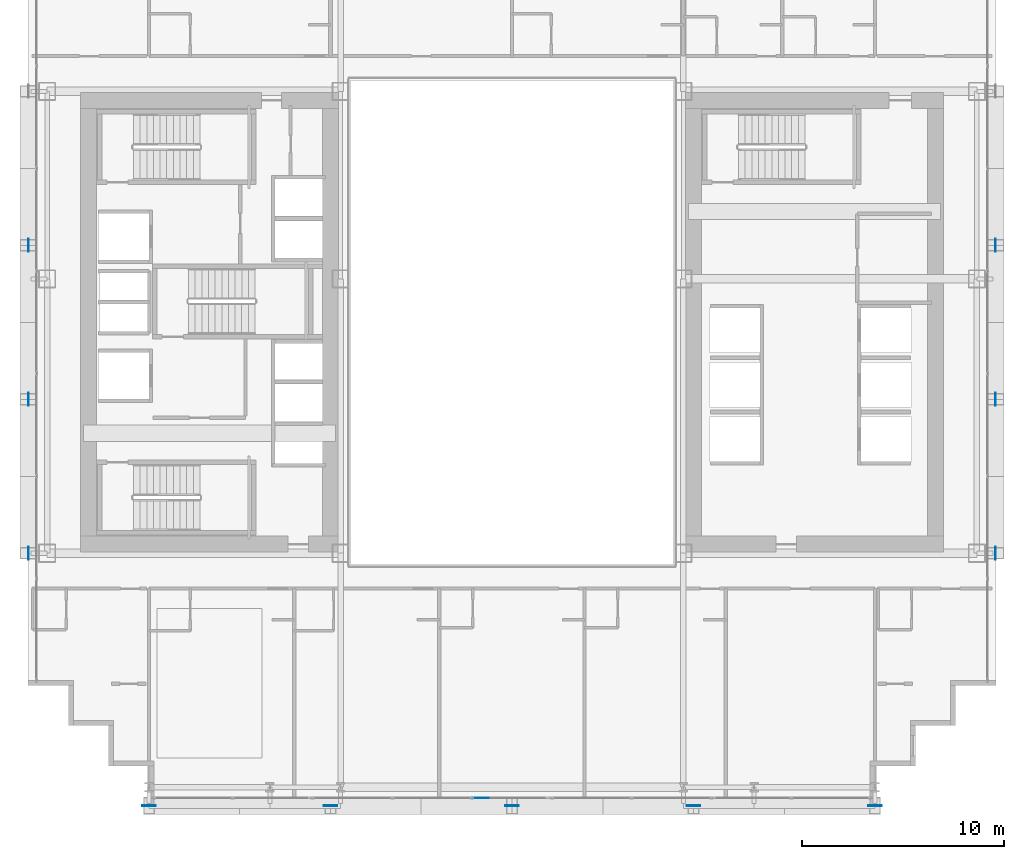
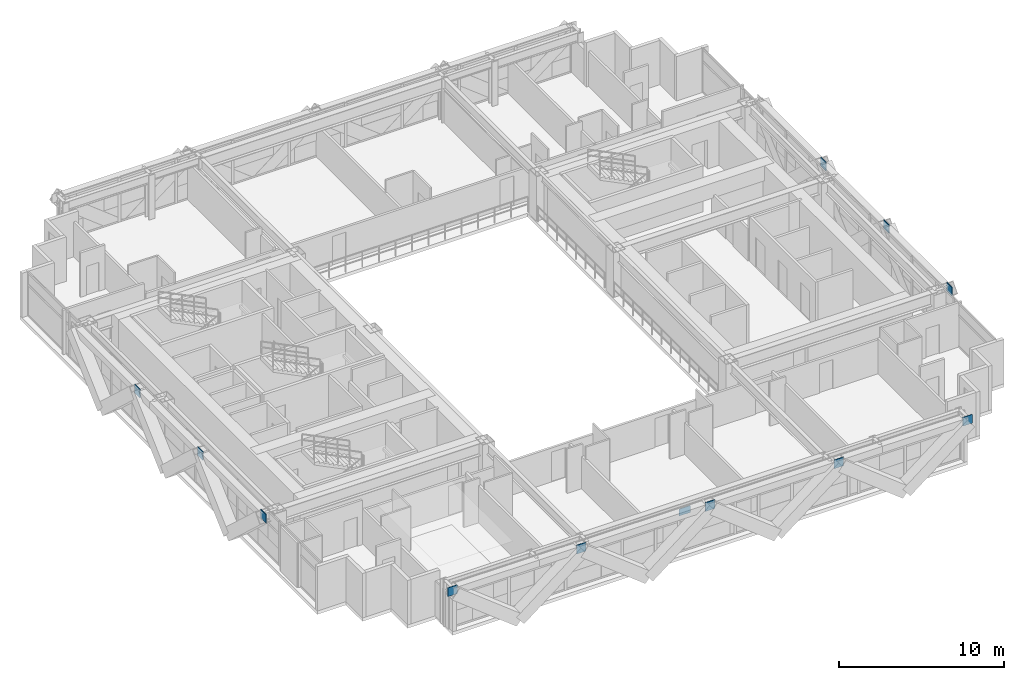
# One storey, part 25 of 35: 12 plates, 1 element without a shape of its own.
"""IFC4 building model written with IfcOpenShell, lengths in metres."""

from ifc_helpers import new_model, si_unit, direction, frame, origin, origin_2d, place, context, subcontext, project, spatial, rectangle, extrude, source, transform, mapped, material, layer, layer_set, type_object, element, aggregate, save


model = new_model("IFC4")

# Units and contexts
model_context = context("Model", 3, precision=1e-05, world=origin(), true_north=direction((0.0, 1.0)))
body_context = subcontext(model_context, "Body", "Model", "MODEL_VIEW")
ifc_project = project(units=[si_unit("LENGTHUNIT", "METRE"), si_unit("AREAUNIT", "SQUARE_METRE"), si_unit("VOLUMEUNIT", "CUBIC_METRE"), si_unit("PLANEANGLEUNIT", "RADIAN"), si_unit("MASSUNIT", "GRAM", prefix="KILO")], contexts=[model_context])

# Site, building, storey
site_placement = place(None, origin())
site = spatial("IfcSite", under=ifc_project, at=site_placement, CompositionType="ELEMENT")
building_placement = place(site_placement, origin())
building = spatial("IfcBuilding", under=site, at=building_placement, Name="Ocotamira Hotel", CompositionType="ELEMENT")
storey_placement = place(building_placement, frame((0.0, 0.0, 81.60009765625)))
storey = spatial("IfcBuildingStorey", under=building, at=storey_placement, Name="L20", CompositionType="ELEMENT", Elevation=81.60009765625)

# Plates
ifc_material_1 = material(Name="Pale-metal coated steel ASTM A572 Grade 50", Category="steel")
ifc_layer_1 = layer(ifc_material_1, 0.0400390625)
ifc_layer_set_1 = layer_set([ifc_layer_1], Name="Pale-metal coated steel ASTM A572 Grade 50")
plate_type_1 = type_object("IfcPlateType", Name="PLT-GUSSET-40", PredefinedType="SHEET", material=ifc_layer_set_1)
shared_shape_1 = source(origin(), body_context, "Body", "SweptSolid", [
    extrude(rectangle(XDim=0.64990234375, YDim=0.0400390625, at=origin_2d()), origin(), (0.0, 0.0, 1.0), 0.64990234375),
])
for number, where, z_axis, x_axis, name in (
    (1, (14.0, 2.030029296875, 2.704833984375), (0.0, 0.0, 1.0), (-1.0, 0.0, 0.0), "L20 Exoskeleton Diagrid S0.1 End Gusset B"),
    (2, (23.0, 2.030029296875, 2.704833984375), (0.0, 0.0, 1.0), (1.0, 0.0, 0.0), "L20 Exoskeleton Diagrid S0.2 End Gusset B"),
    (3, (32.0, 2.030029296875, 2.704833984375), (0.0, 0.0, 1.0), (1.0, 0.0, 0.0), "L20 Exoskeleton Diagrid S1.2 End Gusset B"),
    (4, (41.0, 2.030029296875, 2.704833984375), (0.0, 0.0, 1.0), (1.0, 0.0, 0.0), "L20 Exoskeleton Diagrid S2.2 End Gusset B"),
    (5, (50.0, 2.030029296875, 2.704833984375), (0.0, 0.0, 1.0), (1.0, 0.0, 0.0), "L20 Exoskeleton Diagrid S3.2 End Gusset B"),
):
    element("IfcPlate", number, at=place(storey_placement, frame(where, z_axis=z_axis, x_axis=x_axis)), inside=storey, type_object=plate_type_1, Name=name, PredefinedType="SHEET", context=body_context, shape_type="MappedRepresentation", body=[
        mapped(shared_shape_1, transform((0.0, 0.0, 0.0), scale=1.0)),
    ])
shared_shape_2 = source(origin(), body_context, "Body", "SweptSolid", [
    extrude(rectangle(XDim=0.0400390625, YDim=0.64990234375, at=origin_2d()), origin(), (0.0, 0.0, 1.0), 0.64990234375),
])
for number, where, z_axis, x_axis, name in (
    (6, (8.030029296875, 14.550048828125, 2.704833984375), (0.0, 0.0, 1.0), (1.0, 0.0, 0.0), "L20 Exoskeleton Diagrid W0.1 End Gusset B"),
    (7, (8.030029296875, 22.183349609375, 2.704833984375), (0.0, 0.0, 1.0), (1.0, 0.0, 0.0), "L20 Exoskeleton Diagrid W0.2 End Gusset B"),
    (8, (8.030029296875, 29.816650390625, 2.704833984375), (0.0, 0.0, 1.0), (1.0, 0.0, 0.0), "L20 Exoskeleton Diagrid W1.2 End Gusset B"),
    (9, (55.969970703125, 14.550048828125, 2.704833984375), (0.0, 0.0, 1.0), (1.0, 0.0, 0.0), "L20 Exoskeleton Diagrid E0.1 End Gusset B"),
    (10, (55.969970703125, 22.183349609375, 2.704833984375), (0.0, 0.0, 1.0), (1.0, 0.0, 0.0), "L20 Exoskeleton Diagrid E0.2 End Gusset B"),
    (11, (55.969970703125, 29.816650390625, 2.704833984375), (0.0, 0.0, 1.0), (1.0, 0.0, 0.0), "L20 Exoskeleton Diagrid E1.2 End Gusset B"),
):
    element("IfcPlate", number, at=place(storey_placement, frame(where, z_axis=z_axis, x_axis=x_axis)), inside=storey, type_object=plate_type_1, Name=name, PredefinedType="SHEET", context=body_context, shape_type="MappedRepresentation", body=[
        mapped(shared_shape_2, transform((0.0, 0.0, 0.0), scale=1.0)),
    ])

# Curtain wall, plate
ifc_material_2 = material(Name="Anodised pale-metal aluminium and solar glass", Category="aluminium")
ifc_layer_2 = layer(ifc_material_2, 0.179931640625)
ifc_layer_set_2 = layer_set([ifc_layer_2], Name="Anodised pale-metal aluminium and solar glass")
curtain_wall_type = type_object("IfcCurtainWallType", Name="CW-SYS2-Z1", PredefinedType="NOTDEFINED", material=ifc_layer_set_2)
curtain_wall_placement = place(storey_placement, origin())
curtain_wall = element("IfcCurtainWall", 12, at=curtain_wall_placement, inside=storey, type_object=curtain_wall_type, Name="L20 Curtain Wall CW-2 CW-L20-S1", PredefinedType="NOTDEFINED")
ifc_material_3 = material(Name="Double-silver low-E insulated solar glass", Category="glass")
ifc_layer_3 = layer(ifc_material_3, 0.031982421875)
ifc_layer_set_3 = layer_set([ifc_layer_3], Name="Double-silver low-E insulated solar glass")
plate_type_2 = type_object("IfcPlateType", Name="CWP-VISION-32", PredefinedType="CURTAIN_PANEL", material=ifc_layer_set_3)
shared_shape_3 = source(origin(), body_context, "Body", "SweptSolid", [
    extrude(rectangle(XDim=0.777099609375, YDim=0.031982421875, at=origin_2d()), origin(), (0.0, 0.0, 1.0), 0.513671875),
])
plate_placement = place(storey_placement, frame((30.45068359375, 2.419921875, 2.691162109375), z_axis=(0.0, 0.0, 1.0), x_axis=(1.0, 0.0, 0.0)))
plate = element("IfcPlate", 13, at=plate_placement, type_object=plate_type_2, Name="CW-2 panel 5.2.1", PredefinedType="CURTAIN_PANEL", context=body_context, shape_type="MappedRepresentation", body=[
    mapped(shared_shape_3, transform((0.0, 0.0, 0.0), scale=1.0)),
])
aggregate(curtain_wall, [plate])

save(model, "model.ifc")
